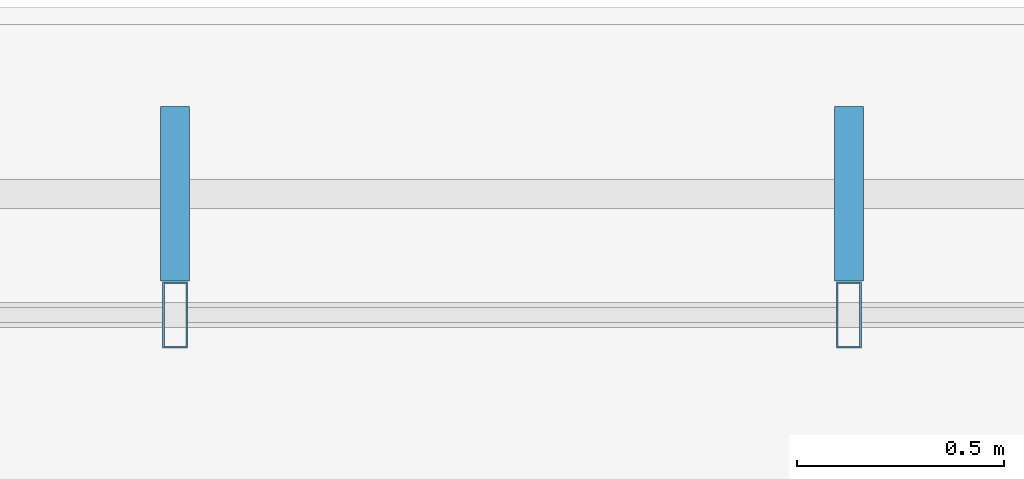
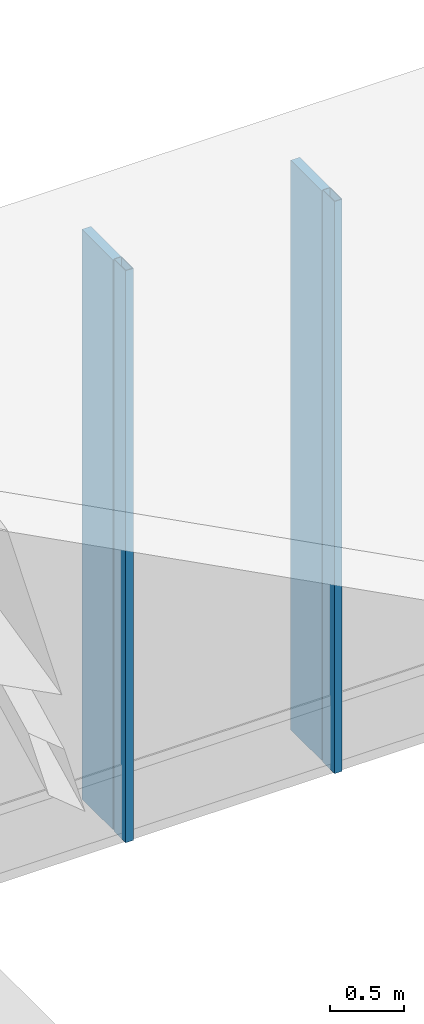
# One storey, part 59 of 182: 4 members, 1 element without a shape of its own.
"""IFC4 building model written with IfcOpenShell, lengths in metres."""

from ifc_helpers import new_model, si_unit, direction, frame, origin, origin_2d, place, context, subcontext, project, spatial, rectangle, hollow_rectangle, extrude, material, material_profile, profile_set, type_object, element, aggregate, save


model = new_model("IFC4")

# Units and contexts
model_context = context("Model", 3, precision=1e-05, world=origin(), true_north=direction((0.0, 1.0)))
body_context = subcontext(model_context, "Body", "Model", "MODEL_VIEW")
ifc_project = project(units=[si_unit("LENGTHUNIT", "METRE"), si_unit("AREAUNIT", "SQUARE_METRE"), si_unit("VOLUMEUNIT", "CUBIC_METRE"), si_unit("PLANEANGLEUNIT", "RADIAN"), si_unit("MASSUNIT", "GRAM", prefix="KILO")], contexts=[model_context])

# Site, building, storey
site_placement = place(None, origin())
site = spatial("IfcSite", under=ifc_project, at=site_placement, CompositionType="ELEMENT")
building_placement = place(site_placement, origin())
building = spatial("IfcBuilding", under=site, at=building_placement, Name="Chiffa Square Polytechnic", CompositionType="ELEMENT")
storey_placement = place(building_placement, frame((0.0, 0.0, 9.60009765625)))
storey = spatial("IfcBuildingStorey", under=building, at=storey_placement, Name="L02", CompositionType="ELEMENT", Elevation=9.60009765625)

# Curtain wall, members
ifc_material_1 = material(Name="Aluminium EN AW-6060 T66 and glulam shading", Category="wood")
curtain_wall_type = type_object("IfcCurtainWallType", Name="CW-VERT-360X380", PredefinedType="USERDEFINED", material=ifc_material_1)
curtain_wall_placement = place(storey_placement, origin())
curtain_wall = element("IfcCurtainWall", 1, at=curtain_wall_placement, inside=storey, type_object=curtain_wall_type, Name="Curtain wall CW-V4-CLRN-04", ObjectType="CURTAIN WALL", PredefinedType="USERDEFINED")
ifc_material_2 = material(Name="Aluminium EN AW-6060 T66", Category="aluminium")
ifc_material_profile_1 = material_profile(ifc_material_2, hollow_rectangle(XDim=0.06005859375, YDim=0.159912109375, WallThickness=0.00390625, at=origin_2d()), Name="ALU 60x160x4")
ifc_profile_set_1 = profile_set([ifc_material_profile_1], Name="Aluminium EN AW-6060 T66")
member_type_1 = type_object("IfcMemberType", Name="CWM-ALU-65X150", PredefinedType="MULLION", material=ifc_profile_set_1)
member_1_placement = place(storey_placement, frame((79.2880859375, 43.800048828125, 0.039794921875), z_axis=(0.0, 0.0, 1.0), x_axis=(1.0, 0.0, 0.0)))
member_1 = element("IfcMember", 2, at=member_1_placement, type_object=member_type_1, Name="Curtain wall mullion CW-V4-CLRN-04-M03", PredefinedType="MULLION", context=body_context, shape_type="SweptSolid", body=[
    extrude(hollow_rectangle(XDim=0.06005859375, YDim=0.159912109375, WallThickness=0.00390625, at=origin_2d()), origin(), (0.0, 0.0, 1.0), 4.703125),
])
member_2_placement = place(storey_placement, frame((77.6640625, 43.800048828125, 0.039794921875), z_axis=(0.0, 0.0, 1.0), x_axis=(1.0, 0.0, 0.0)))
member_2 = element("IfcMember", 3, at=member_2_placement, type_object=member_type_1, Name="Curtain wall mullion CW-V4-CLRN-04-M04", PredefinedType="MULLION", context=body_context, shape_type="SweptSolid", body=[
    extrude(hollow_rectangle(XDim=0.06005859375, YDim=0.159912109375, WallThickness=0.00390625, at=origin_2d()), origin(), (0.0, 0.0, 1.0), 4.703125),
])
ifc_material_3 = material(Name="Glulam GL28h", Category="wood")
ifc_material_profile_2 = material_profile(ifc_material_3, rectangle(XDim=0.070068359375, YDim=0.419921875, at=origin_2d()), Name="GL28h 70x420")
ifc_profile_set_2 = profile_set([ifc_material_profile_2], Name="Glulam GL28h")
member_type_2 = type_object("IfcMemberType", Name="CWM-GL-70X420", PredefinedType="MULLION", material=ifc_profile_set_2)
member_3_placement = place(storey_placement, frame((79.2880859375, 44.092041015625, 0.0498046875), z_axis=(0.0, 0.0, 1.0), x_axis=(-1.0, 0.0, 0.0)))
member_3 = element("IfcMember", 4, at=member_3_placement, type_object=member_type_2, Name="Exterior glulam solar fin CW-V4-CLRN-04-FN03", PredefinedType="MULLION", context=body_context, shape_type="SweptSolid", body=[
    extrude(rectangle(XDim=0.070068359375, YDim=0.419921875, at=origin_2d()), origin(), (0.0, 0.0, 1.0), 4.68310546875),
])
member_4_placement = place(storey_placement, frame((77.6640625, 44.092041015625, 0.0498046875), z_axis=(0.0, 0.0, 1.0), x_axis=(-1.0, 0.0, 0.0)))
member_4 = element("IfcMember", 5, at=member_4_placement, type_object=member_type_2, Name="Exterior glulam solar fin CW-V4-CLRN-04-FN04", PredefinedType="MULLION", context=body_context, shape_type="SweptSolid", body=[
    extrude(rectangle(XDim=0.070068359375, YDim=0.419921875, at=origin_2d()), origin(), (0.0, 0.0, 1.0), 4.68310546875),
])
aggregate(curtain_wall, [member_1, member_3, member_2, member_4])

save(model, "model.ifc")
